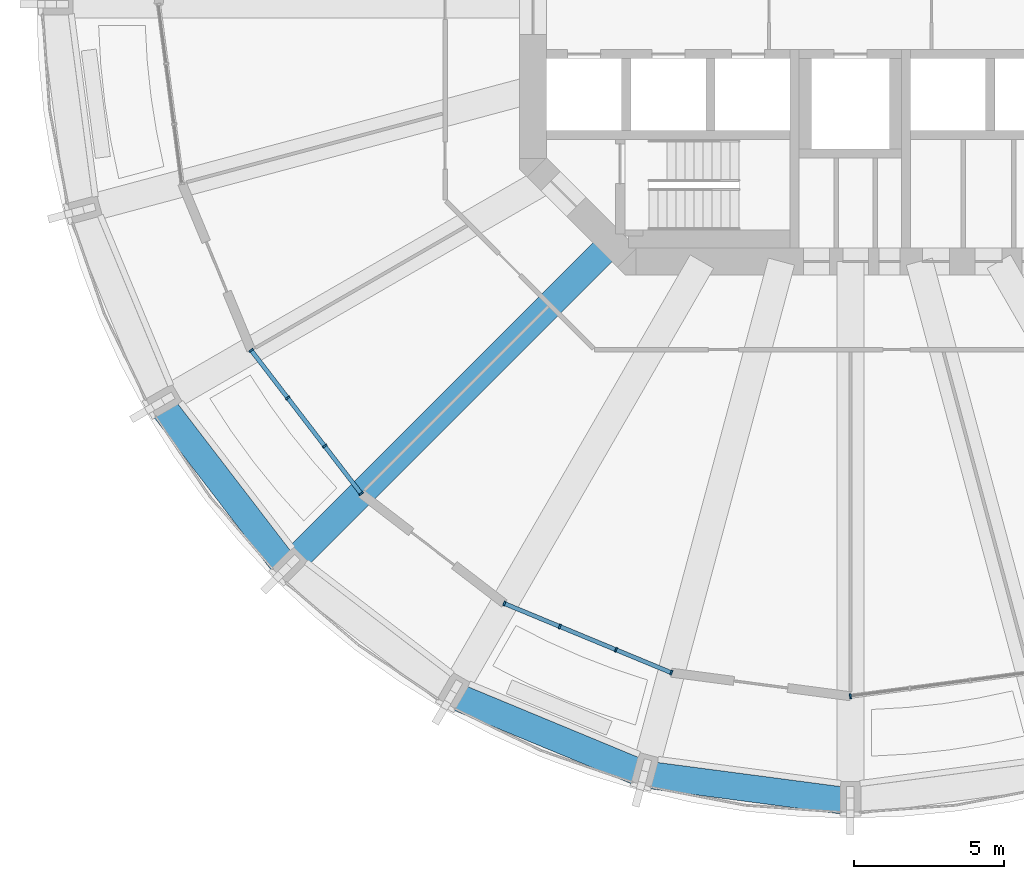
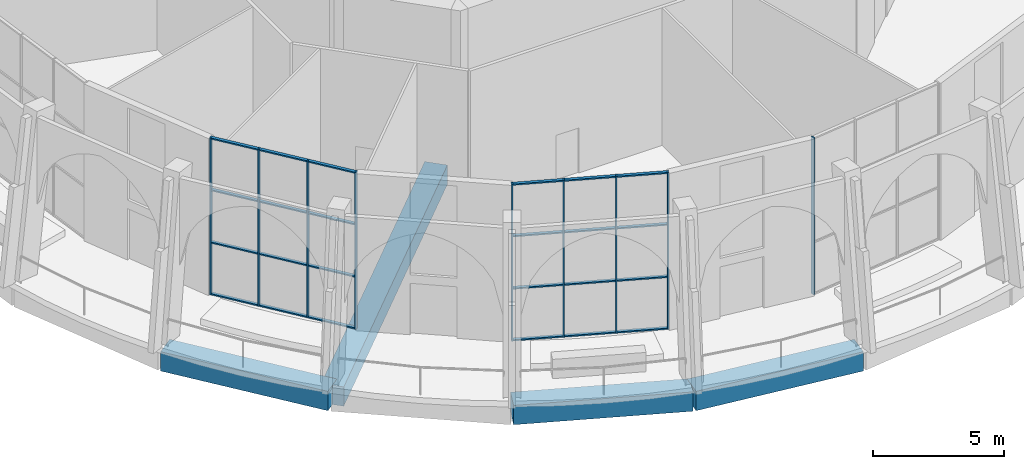
# One storey, part 2 of 19: 33 members, 4 beams, 3 elements without a shape of their own.
"""IFC4 building model written with IfcOpenShell, lengths in metres."""

import ifcopenshell
import ifcopenshell.guid

model = None  # the IFC model being written
_history = None  # IfcOwnerHistory: only IFC2X3 demands one
_inside = {}  # id of a spatial element -> (the spatial element, [elements in it])
_under = {}  # id of a project, library or spatial element -> (it, [spatial elements below it])
_declared = {}  # id of a project -> (the project, [libraries it declares])
_typed = {}  # id of a type object -> (the type object, [elements of that type])
_made_of = {}  # id of a material, layer set ... -> (it, [elements and type objects made of it])


def new_model(schema):
    """Start an empty IFC model of exactly this schema.

    Asked for "IFC4X3", IfcOpenShell would pick the latest addendum, in which some entities
    have other attributes; the version numbers below select the first issue.
    IFC2X3 requires an IfcOwnerHistory on every rooted entity: one is made here for all.
    """
    global model, _history
    if schema == "IFC4X3":
        model = ifcopenshell.file(schema_version=(4, 3, 0, 0))
    else:
        model = ifcopenshell.file(schema=schema)
    _inside.clear()
    _under.clear()
    _declared.clear()
    _typed.clear()
    _made_of.clear()
    _history = None
    if model.schema == "IFC2X3":
        org = make("IfcOrganization", Name="unknown")
        user = make(
            "IfcPersonAndOrganization",
            ThePerson=make("IfcPerson", FamilyName="unknown"),
            TheOrganization=org,
        )
        app = make(
            "IfcApplication",
            ApplicationDeveloper=org,
            Version="unknown",
            ApplicationFullName="unknown",
            ApplicationIdentifier="unknown",
        )
        _history = make(
            "IfcOwnerHistory",
            OwningUser=user,
            OwningApplication=app,
            ChangeAction="ADDED",
            CreationDate=0,
        )
    return model


def make(cls, **values):
    """One entity of the class cls with the attributes given. An attribute that is None is left unset."""
    return model.create_entity(
        cls, **{name: value for name, value in values.items() if value is not None}
    )


def rooted(cls, **values):
    """An entity with a GlobalId (a new one), such as an element, a storey or a relation."""
    return make(cls, GlobalId=ifcopenshell.guid.new(), OwnerHistory=_history, **values)


def si_unit(unit_type, name, prefix=None):
    """IfcSIUnit, for example si_unit("LENGTHUNIT", "METRE", prefix="MILLI")."""
    return make("IfcSIUnit", UnitType=unit_type, Prefix=prefix, Name=name)


def assignment(units):
    """IfcUnitAssignment: the units of a project."""
    return None if units is None else make("IfcUnitAssignment", Units=units)


def point(xyz):
    """IfcCartesianPoint."""
    return None if xyz is None else make("IfcCartesianPoint", Coordinates=xyz)


def direction(xyz):
    """IfcDirection."""
    return None if xyz is None else make("IfcDirection", DirectionRatios=xyz)


def frame(location, z_axis=None, x_axis=None):
    """IfcAxis2Placement3D, a coordinate frame: its origin and axes. An axis left out is left unset."""
    return make(
        "IfcAxis2Placement3D",
        Location=point(location),
        Axis=direction(z_axis),
        RefDirection=direction(x_axis),
    )


def frame_2d(location, x_axis=None):
    """IfcAxis2Placement2D, a coordinate frame in the plane: its origin and x axis."""
    return make(
        "IfcAxis2Placement2D", Location=point(location), RefDirection=direction(x_axis)
    )


def origin():
    """The frame at (0, 0, 0) with its axes left unset."""
    return frame((0.0, 0.0, 0.0))


def origin_2d():
    """The frame at (0, 0) in the plane with its x axis left unset."""
    return frame_2d((0.0, 0.0))


def place(relative_to, where):
    """IfcLocalPlacement: puts the frame where relative to a parent placement (None: the world)."""
    return make(
        "IfcLocalPlacement", PlacementRelTo=relative_to, RelativePlacement=where
    )


def context(
    kind, dimensions, precision=None, world=None, true_north=None, identifier=None
):
    """IfcGeometricRepresentationContext, for example the 3D "Model" context."""
    return make(
        "IfcGeometricRepresentationContext",
        ContextIdentifier=identifier,
        ContextType=kind,
        CoordinateSpaceDimension=dimensions,
        Precision=precision,
        WorldCoordinateSystem=world,
        TrueNorth=true_north,
    )


def subcontext(parent, identifier, kind, view, scale=None):
    """IfcGeometricRepresentationSubContext, for example "Body" below "Model"."""
    return make(
        "IfcGeometricRepresentationSubContext",
        ContextIdentifier=identifier,
        ContextType=kind,
        ParentContext=parent,
        TargetScale=scale,
        TargetView=view,
    )


def project(units=None, contexts=None):
    """IfcProject with its units and contexts."""
    return rooted(
        "IfcProject",
        Name="project",
        RepresentationContexts=contexts,
        UnitsInContext=assignment(units),
    )


def spatial(cls, under=None, at=None, **own):
    """A site, building, storey or space (cls), placed at a placement, below another one or the project."""
    s = rooted(cls, ObjectPlacement=at, **own)
    if under is not None:
        _under.setdefault(under.id(), (under, []))[1].append(s)
    return s


def profile(cls, at=None, kind="AREA", **sizes):
    """A parametric profile (cls). Its sizes go by their IFC names, for example OverallWidth=200.0."""
    return make(cls, ProfileType=kind, Position=at, **sizes)


def rectangle(**sizes):
    """IfcRectangleProfileDef."""
    return profile("IfcRectangleProfileDef", **sizes)


def extrude(swept, where, along, depth):
    """IfcExtrudedAreaSolid: the profile swept, set in the frame where, extruded along a direction by depth."""
    return make(
        "IfcExtrudedAreaSolid",
        SweptArea=swept,
        Position=where,
        ExtrudedDirection=direction(along),
        Depth=depth,
    )


def shape(context_of_items, identifier, shape_type, items):
    """IfcShapeRepresentation: the items that make up one representation, for example the "Body"."""
    return make(
        "IfcShapeRepresentation",
        ContextOfItems=context_of_items,
        RepresentationIdentifier=identifier,
        RepresentationType=shape_type,
        Items=items,
    )


def material(Name=None, Category=None):
    """IfcMaterial."""
    return make("IfcMaterial", Name=Name, Category=Category)


def material_profile(
    of_material, cross_section, Name=None, Category=None, Priority=None
):
    """IfcMaterialProfile: a cross section and its material."""
    return make(
        "IfcMaterialProfile",
        Name=Name,
        Material=of_material,
        Profile=cross_section,
        Priority=Priority,
        Category=Category,
    )


def profile_set(profiles, Name=None, composite=None):
    """IfcMaterialProfileSet."""
    return make(
        "IfcMaterialProfileSet",
        Name=Name,
        MaterialProfiles=profiles,
        CompositeProfile=composite,
    )


def made_of(thing, what):
    """Note that an element or type object is made of a material, layer set ...; save() writes the relation."""
    if what is not None:
        _made_of.setdefault(what.id(), (what, []))[1].append(thing)
    return thing


def type_object(cls, material=None, **own):
    """A type object (cls), such as IfcWallType, which elements share."""
    return made_of(rooted(cls, **own), material)


def element(
    cls,
    number,
    at=None,
    inside=None,
    cuts=None,
    type_object=None,
    material=None,
    context=None,
    identifier="Body",
    shape_type=None,
    held_by="IfcProductDefinitionShape",
    body=None,
    shapes=None,
    **own,
):
    """One element of the class cls, such as IfcWall. Its Tag is "e" and its number.

    at: its placement. inside: the storey or other place that contains it. cuts: it is an
    opening in that element (IfcRelVoidsElement). A single representation is given by context,
    identifier, shape_type and body (its items); several are given by shapes. held_by: the class
    of the entity that holds the representations. save() writes the other relations.
    """
    e = rooted(cls, Tag="e%d" % number, ObjectPlacement=at, **own)
    if body is not None:
        shapes = [shape(context, identifier, shape_type, body)]
    if shapes is not None:
        e.Representation = make(held_by, Representations=shapes)
    if inside is not None:
        _inside.setdefault(inside.id(), (inside, []))[1].append(e)
    if cuts is not None:
        rooted(
            "IfcRelVoidsElement", RelatingBuildingElement=cuts, RelatedOpeningElement=e
        )
    if type_object is not None:
        _typed.setdefault(type_object.id(), (type_object, []))[1].append(e)
    return made_of(e, material)


def aggregate(whole, parts):
    """IfcRelAggregates: a whole, such as a stair, and the parts it consists of."""
    return rooted("IfcRelAggregates", RelatingObject=whole, RelatedObjects=parts)


def save(model, path):
    """Write the relations noted so far, then the file.

    IfcRelAggregates (storeys below a building ...), IfcRelContainedInSpatialStructure (elements
    in a storey), IfcRelDefinesByType, IfcRelAssociatesMaterial and IfcRelDeclares: one each for
    every whole, place, type object, material and project.
    """
    for whole, parts in _under.values():
        aggregate(whole, parts)
    for where, things in _inside.values():
        rooted(
            "IfcRelContainedInSpatialStructure",
            RelatedElements=things,
            RelatingStructure=where,
        )
    for kind, things in _typed.values():
        rooted("IfcRelDefinesByType", RelatedObjects=things, RelatingType=kind)
    for what, things in _made_of.values():
        rooted("IfcRelAssociatesMaterial", RelatedObjects=things, RelatingMaterial=what)
    for by, libraries in _declared.values():
        rooted("IfcRelDeclares", RelatingContext=by, RelatedDefinitions=libraries)
    model.write(path)


model = new_model("IFC4")

# Units and contexts
model_context = context("Model", 3, precision=1e-05, world=origin(), true_north=direction((0.0, 1.0)))
body_context = subcontext(model_context, "Body", "Model", "MODEL_VIEW")
ifc_project = project(units=[si_unit("LENGTHUNIT", "METRE"), si_unit("AREAUNIT", "SQUARE_METRE"), si_unit("VOLUMEUNIT", "CUBIC_METRE"), si_unit("PLANEANGLEUNIT", "RADIAN"), si_unit("MASSUNIT", "GRAM", prefix="KILO")], contexts=[model_context])

# Site, building, storey
site_placement = place(None, origin())
site = spatial("IfcSite", under=ifc_project, at=site_placement, CompositionType="ELEMENT")
building_placement = place(site_placement, origin())
building = spatial("IfcBuilding", under=site, at=building_placement, Name="Torre Triforio", CompositionType="ELEMENT")
storey_placement = place(building_placement, frame((0.0, 0.0, 79.0)))
storey = spatial("IfcBuildingStorey", under=building, at=storey_placement, Name="L17", CompositionType="ELEMENT", Elevation=79.0)

# Curtain wall, members
ifc_material_1 = material(Name="Aluminium mullion and transom frame with clear laminated glass", Category="aluminium")
curtain_wall_type = type_object("IfcCurtainWallType", Name="Sky garden conservatory wall ECW3", PredefinedType="NOTDEFINED", material=ifc_material_1)
curtain_wall_1_placement = place(storey_placement, origin())
curtain_wall_1 = element("IfcCurtainWall", 1, at=curtain_wall_1_placement, inside=storey, type_object=curtain_wall_type, Name="Conservatory wall L17 bay 15", PredefinedType="NOTDEFINED")
ifc_material_2 = material(Name="Anodised aluminium extrusion", Category="aluminium")
ifc_material_profile_1 = material_profile(ifc_material_2, rectangle(XDim=0.159912109375, YDim=0.06005859375, at=origin_2d()), Name="ECW3 MULLION 60x160")
ifc_profile_set_1 = profile_set([ifc_material_profile_1], Name="Anodised aluminium extrusion")
member_type_1 = type_object("IfcMemberType", Name="ECW3 mullion 60 x 160", PredefinedType="MULLION", material=ifc_profile_set_1)
member_1_placement = place(storey_placement, frame((-19.91845703125, -11.5, 0.0), z_axis=(0.0, 0.0, 1.0), x_axis=(0.79336025885, 0.608752412461, 0.0)))
member_1 = element("IfcMember", 2, at=member_1_placement, type_object=member_type_1, Name="ECW3 mullion 1", PredefinedType="MULLION", context=body_context, shape_type="SweptSolid", body=[
    extrude(rectangle(XDim=0.159912109375, YDim=0.06005859375, at=origin_2d()), origin(), (0.0, 0.0, 1.0), 7.320068359375),
])
member_2_placement = place(storey_placement, frame((-18.706298828125, -13.079833984375, 0.0), z_axis=(0.0, 0.0, 1.0), x_axis=(0.79336025885, 0.608752412461, 0.0)))
member_2 = element("IfcMember", 3, at=member_2_placement, type_object=member_type_1, Name="ECW3 mullion 2", PredefinedType="MULLION", context=body_context, shape_type="SweptSolid", body=[
    extrude(rectangle(XDim=0.159912109375, YDim=0.06005859375, at=origin_2d()), origin(), (0.0, 0.0, 1.0), 7.320068359375),
])
member_3_placement = place(storey_placement, frame((-17.475830078125, -14.68359375, 0.0), z_axis=(0.0, 0.0, 1.0), x_axis=(0.79336025885, 0.608752412461, 0.0)))
member_3 = element("IfcMember", 4, at=member_3_placement, type_object=member_type_1, Name="ECW3 mullion 3", PredefinedType="MULLION", context=body_context, shape_type="SweptSolid", body=[
    extrude(rectangle(XDim=0.159912109375, YDim=0.06005859375, at=origin_2d()), origin(), (0.0, 0.0, 1.0), 7.320068359375),
])
member_4_placement = place(storey_placement, frame((-16.263427734375, -16.263427734375, 0.0), z_axis=(0.0, 0.0, 1.0), x_axis=(0.79336025885, 0.608752412461, 0.0)))
member_4 = element("IfcMember", 5, at=member_4_placement, type_object=member_type_1, Name="ECW3 mullion 4", PredefinedType="MULLION", context=body_context, shape_type="SweptSolid", body=[
    extrude(rectangle(XDim=0.159912109375, YDim=0.06005859375, at=origin_2d()), origin(), (0.0, 0.0, 1.0), 7.320068359375),
])

curtain_wall_2_placement = place(storey_placement, origin())
curtain_wall_2 = element("IfcCurtainWall", 6, at=curtain_wall_2_placement, inside=storey, type_object=curtain_wall_type, Name="Conservatory wall L17 bay 17", PredefinedType="NOTDEFINED")
member_5_placement = place(storey_placement, frame((-11.5, -19.918701171875, 0.0), z_axis=(0.0, 0.0, 1.0), x_axis=(0.382687246105, 0.923877952799, 0.0)))
member_5 = element("IfcMember", 7, at=member_5_placement, type_object=member_type_1, Name="ECW3 mullion 1", PredefinedType="MULLION", context=body_context, shape_type="SweptSolid", body=[
    extrude(rectangle(XDim=0.159912109375, YDim=0.06005859375, at=origin_2d()), origin(), (0.0, 0.0, 1.0), 7.320068359375),
])
member_6_placement = place(storey_placement, frame((-9.66015625, -20.6806640625, 0.0), z_axis=(0.0, 0.0, 1.0), x_axis=(0.382687246105, 0.923877952799, 0.0)))
member_6 = element("IfcMember", 8, at=member_6_placement, type_object=member_type_1, Name="ECW3 mullion 2", PredefinedType="MULLION", context=body_context, shape_type="SweptSolid", body=[
    extrude(rectangle(XDim=0.159912109375, YDim=0.06005859375, at=origin_2d()), origin(), (0.0, 0.0, 1.0), 7.320068359375),
])
member_7_placement = place(storey_placement, frame((-7.792724609375, -21.454345703125, 0.0), z_axis=(0.0, 0.0, 1.0), x_axis=(0.382687246105, 0.923877952799, 0.0)))
member_7 = element("IfcMember", 9, at=member_7_placement, type_object=member_type_1, Name="ECW3 mullion 3", PredefinedType="MULLION", context=body_context, shape_type="SweptSolid", body=[
    extrude(rectangle(XDim=0.159912109375, YDim=0.06005859375, at=origin_2d()), origin(), (0.0, 0.0, 1.0), 7.320068359375),
])
member_8_placement = place(storey_placement, frame((-5.952880859375, -22.21630859375, 0.0), z_axis=(0.0, 0.0, 1.0), x_axis=(0.382687246105, 0.923877952799, 0.0)))
member_8 = element("IfcMember", 10, at=member_8_placement, type_object=member_type_1, Name="ECW3 mullion 4", PredefinedType="MULLION", context=body_context, shape_type="SweptSolid", body=[
    extrude(rectangle(XDim=0.159912109375, YDim=0.06005859375, at=origin_2d()), origin(), (0.0, 0.0, 1.0), 7.320068359375),
])

# Curtain wall, member
curtain_wall_3_placement = place(storey_placement, origin())
curtain_wall_3 = element("IfcCurtainWall", 11, at=curtain_wall_3_placement, inside=storey, type_object=curtain_wall_type, Name="Conservatory wall L17 bay 19", PredefinedType="NOTDEFINED")
member_9_placement = place(storey_placement, frame((0.0, -23.0, 0.0), z_axis=(0.0, 0.0, 1.0), x_axis=(-0.130520630599, 0.991445593559, 0.0)))
member_9 = element("IfcMember", 12, at=member_9_placement, type_object=member_type_1, Name="ECW3 mullion 1", PredefinedType="MULLION", context=body_context, shape_type="SweptSolid", body=[
    extrude(rectangle(XDim=0.159912109375, YDim=0.06005859375, at=origin_2d()), origin(), (0.0, 0.0, 1.0), 7.320068359375),
])
aggregate(curtain_wall_3, [member_9])

# Member
ifc_material_profile_2 = material_profile(ifc_material_2, rectangle(XDim=0.139892578125, YDim=0.06005859375, at=origin_2d()), Name="ECW3 TRANSOM 60x140")
ifc_profile_set_2 = profile_set([ifc_material_profile_2], Name="Anodised aluminium extrusion")
member_type_2 = type_object("IfcMemberType", Name="ECW3 transom 60 x 140", PredefinedType="USERDEFINED", material=ifc_profile_set_2)
member_10_placement = place(storey_placement, frame((-19.900390625, -11.523681640625, 0.030029296875), z_axis=(0.608720735783, -0.793384563644, 0.0), x_axis=(0.793384563644, 0.608720735783, 0.0)))
member_10 = element("IfcMember", 13, at=member_10_placement, type_object=member_type_2, Name="ECW3 transom 1.1", ObjectType="TRANSOM", PredefinedType="USERDEFINED", context=body_context, shape_type="SweptSolid", body=[
    extrude(rectangle(XDim=0.139892578125, YDim=0.06005859375, at=origin_2d()), origin(), (0.0, 0.0, 1.0), 1.931640625),
])

member_11_placement = place(storey_placement, frame((-19.900390625, -11.523681640625, 2.43994140625), z_axis=(0.608720735783, -0.793384563644, 0.0), x_axis=(0.793384563644, 0.608720735783, 0.0)))
member_11 = element("IfcMember", 14, at=member_11_placement, type_object=member_type_2, Name="ECW3 transom 1.2", ObjectType="TRANSOM", PredefinedType="USERDEFINED", context=body_context, shape_type="SweptSolid", body=[
    extrude(rectangle(XDim=0.139892578125, YDim=0.06005859375, at=origin_2d()), origin(), (0.0, 0.0, 1.0), 1.931640625),
])

member_12_placement = place(storey_placement, frame((-19.900390625, -11.523681640625, 4.8798828125), z_axis=(0.608720735783, -0.793384563644, 0.0), x_axis=(0.793384563644, 0.608720735783, 0.0)))
member_12 = element("IfcMember", 15, at=member_12_placement, type_object=member_type_2, Name="ECW3 transom 1.3", ObjectType="TRANSOM", PredefinedType="USERDEFINED", context=body_context, shape_type="SweptSolid", body=[
    extrude(rectangle(XDim=0.139892578125, YDim=0.06005859375, at=origin_2d()), origin(), (0.0, 0.0, 1.0), 1.931640625),
])

member_13_placement = place(storey_placement, frame((-19.900390625, -11.523681640625, 7.2900390625), z_axis=(0.608720735783, -0.793384563644, 0.0), x_axis=(0.793384563644, 0.608720735783, 0.0)))
member_13 = element("IfcMember", 16, at=member_13_placement, type_object=member_type_2, Name="ECW3 transom 1.4", ObjectType="TRANSOM", PredefinedType="USERDEFINED", context=body_context, shape_type="SweptSolid", body=[
    extrude(rectangle(XDim=0.139892578125, YDim=0.06005859375, at=origin_2d()), origin(), (0.0, 0.0, 1.0), 1.931640625),
])

member_14_placement = place(storey_placement, frame((-18.68798828125, -13.103759765625, 0.030029296875), z_axis=(0.608765955401, -0.793349867047, 0.0), x_axis=(0.793349867047, 0.608765955401, 0.0)))
member_14 = element("IfcMember", 17, at=member_14_placement, type_object=member_type_2, Name="ECW3 transom 2.1", ObjectType="TRANSOM", PredefinedType="USERDEFINED", context=body_context, shape_type="SweptSolid", body=[
    extrude(rectangle(XDim=0.139892578125, YDim=0.06005859375, at=origin_2d()), origin(), (0.0, 0.0, 1.0), 1.96142578125),
])

member_15_placement = place(storey_placement, frame((-18.68798828125, -13.103759765625, 2.43994140625), z_axis=(0.608765955401, -0.793349867047, 0.0), x_axis=(0.793349867047, 0.608765955401, 0.0)))
member_15 = element("IfcMember", 18, at=member_15_placement, type_object=member_type_2, Name="ECW3 transom 2.2", ObjectType="TRANSOM", PredefinedType="USERDEFINED", context=body_context, shape_type="SweptSolid", body=[
    extrude(rectangle(XDim=0.139892578125, YDim=0.06005859375, at=origin_2d()), origin(), (0.0, 0.0, 1.0), 1.96142578125),
])

member_16_placement = place(storey_placement, frame((-18.68798828125, -13.103759765625, 4.8798828125), z_axis=(0.608765955401, -0.793349867047, 0.0), x_axis=(0.793349867047, 0.608765955401, 0.0)))
member_16 = element("IfcMember", 19, at=member_16_placement, type_object=member_type_2, Name="ECW3 transom 2.3", ObjectType="TRANSOM", PredefinedType="USERDEFINED", context=body_context, shape_type="SweptSolid", body=[
    extrude(rectangle(XDim=0.139892578125, YDim=0.06005859375, at=origin_2d()), origin(), (0.0, 0.0, 1.0), 1.96142578125),
])

member_17_placement = place(storey_placement, frame((-18.68798828125, -13.103759765625, 7.2900390625), z_axis=(0.608765955401, -0.793349867047, 0.0), x_axis=(0.793349867047, 0.608765955401, 0.0)))
member_17 = element("IfcMember", 20, at=member_17_placement, type_object=member_type_2, Name="ECW3 transom 2.4", ObjectType="TRANSOM", PredefinedType="USERDEFINED", context=body_context, shape_type="SweptSolid", body=[
    extrude(rectangle(XDim=0.139892578125, YDim=0.06005859375, at=origin_2d()), origin(), (0.0, 0.0, 1.0), 1.96142578125),
])

member_18_placement = place(storey_placement, frame((-17.45751953125, -14.70751953125, 0.030029296875), z_axis=(0.608781782764, -0.793337721891, 0.0), x_axis=(0.793337721891, 0.608781782764, 0.0)))
member_18 = element("IfcMember", 21, at=member_18_placement, type_object=member_type_2, Name="ECW3 transom 3.1", ObjectType="TRANSOM", PredefinedType="USERDEFINED", context=body_context, shape_type="SweptSolid", body=[
    extrude(rectangle(XDim=0.139892578125, YDim=0.06005859375, at=origin_2d()), origin(), (0.0, 0.0, 1.0), 1.931396484375),
])

member_19_placement = place(storey_placement, frame((-17.45751953125, -14.70751953125, 2.43994140625), z_axis=(0.608781782764, -0.793337721891, 0.0), x_axis=(0.793337721891, 0.608781782764, 0.0)))
member_19 = element("IfcMember", 22, at=member_19_placement, type_object=member_type_2, Name="ECW3 transom 3.2", ObjectType="TRANSOM", PredefinedType="USERDEFINED", context=body_context, shape_type="SweptSolid", body=[
    extrude(rectangle(XDim=0.139892578125, YDim=0.06005859375, at=origin_2d()), origin(), (0.0, 0.0, 1.0), 1.931396484375),
])

member_20_placement = place(storey_placement, frame((-17.45751953125, -14.70751953125, 4.8798828125), z_axis=(0.608781782764, -0.793337721891, 0.0), x_axis=(0.793337721891, 0.608781782764, 0.0)))
member_20 = element("IfcMember", 23, at=member_20_placement, type_object=member_type_2, Name="ECW3 transom 3.3", ObjectType="TRANSOM", PredefinedType="USERDEFINED", context=body_context, shape_type="SweptSolid", body=[
    extrude(rectangle(XDim=0.139892578125, YDim=0.06005859375, at=origin_2d()), origin(), (0.0, 0.0, 1.0), 1.931396484375),
])

member_21_placement = place(storey_placement, frame((-17.45751953125, -14.70751953125, 7.2900390625), z_axis=(0.608781782764, -0.793337721891, 0.0), x_axis=(0.793337721891, 0.608781782764, 0.0)))
member_21 = element("IfcMember", 24, at=member_21_placement, type_object=member_type_2, Name="ECW3 transom 3.4", ObjectType="TRANSOM", PredefinedType="USERDEFINED", context=body_context, shape_type="SweptSolid", body=[
    extrude(rectangle(XDim=0.139892578125, YDim=0.06005859375, at=origin_2d()), origin(), (0.0, 0.0, 1.0), 1.931396484375),
])

aggregate(curtain_wall_1, [member_1, member_2, member_3, member_4, member_10, member_11, member_12, member_13, member_14, member_15, member_16, member_17, member_18, member_19, member_20, member_21])

member_22_placement = place(storey_placement, frame((-11.47216796875, -19.93017578125, 0.030029296875), z_axis=(0.92388278253, -0.382675586032, 0.0), x_axis=(0.382675586032, 0.92388278253, 0.0)))
member_22 = element("IfcMember", 25, at=member_22_placement, type_object=member_type_2, Name="ECW3 transom 1.1", ObjectType="TRANSOM", PredefinedType="USERDEFINED", context=body_context, shape_type="SweptSolid", body=[
    extrude(rectangle(XDim=0.139892578125, YDim=0.06005859375, at=origin_2d()), origin(), (0.0, 0.0, 1.0), 1.93115234375),
])

member_23_placement = place(storey_placement, frame((-11.47216796875, -19.93017578125, 2.43994140625), z_axis=(0.92388278253, -0.382675586032, 0.0), x_axis=(0.382675586032, 0.92388278253, 0.0)))
member_23 = element("IfcMember", 26, at=member_23_placement, type_object=member_type_2, Name="ECW3 transom 1.2", ObjectType="TRANSOM", PredefinedType="USERDEFINED", context=body_context, shape_type="SweptSolid", body=[
    extrude(rectangle(XDim=0.139892578125, YDim=0.06005859375, at=origin_2d()), origin(), (0.0, 0.0, 1.0), 1.93115234375),
])

member_24_placement = place(storey_placement, frame((-11.47216796875, -19.93017578125, 4.8798828125), z_axis=(0.92388278253, -0.382675586032, 0.0), x_axis=(0.382675586032, 0.92388278253, 0.0)))
member_24 = element("IfcMember", 27, at=member_24_placement, type_object=member_type_2, Name="ECW3 transom 1.3", ObjectType="TRANSOM", PredefinedType="USERDEFINED", context=body_context, shape_type="SweptSolid", body=[
    extrude(rectangle(XDim=0.139892578125, YDim=0.06005859375, at=origin_2d()), origin(), (0.0, 0.0, 1.0), 1.93115234375),
])

member_25_placement = place(storey_placement, frame((-11.47216796875, -19.93017578125, 7.2900390625), z_axis=(0.92388278253, -0.382675586032, 0.0), x_axis=(0.382675586032, 0.92388278253, 0.0)))
member_25 = element("IfcMember", 28, at=member_25_placement, type_object=member_type_2, Name="ECW3 transom 1.4", ObjectType="TRANSOM", PredefinedType="USERDEFINED", context=body_context, shape_type="SweptSolid", body=[
    extrude(rectangle(XDim=0.139892578125, YDim=0.06005859375, at=origin_2d()), origin(), (0.0, 0.0, 1.0), 1.93115234375),
])

member_26_placement = place(storey_placement, frame((-9.632568359375, -20.692138671875, 0.030029296875), z_axis=(0.923866651068, -0.38271452944, 0.0), x_axis=(0.38271452944, 0.923866651068, 0.0)))
member_26 = element("IfcMember", 29, at=member_26_placement, type_object=member_type_2, Name="ECW3 transom 2.1", ObjectType="TRANSOM", PredefinedType="USERDEFINED", context=body_context, shape_type="SweptSolid", body=[
    extrude(rectangle(XDim=0.139892578125, YDim=0.06005859375, at=origin_2d()), origin(), (0.0, 0.0, 1.0), 1.961669921875),
])

member_27_placement = place(storey_placement, frame((-9.632568359375, -20.692138671875, 2.43994140625), z_axis=(0.923866651068, -0.38271452944, 0.0), x_axis=(0.38271452944, 0.923866651068, 0.0)))
member_27 = element("IfcMember", 30, at=member_27_placement, type_object=member_type_2, Name="ECW3 transom 2.2", ObjectType="TRANSOM", PredefinedType="USERDEFINED", context=body_context, shape_type="SweptSolid", body=[
    extrude(rectangle(XDim=0.139892578125, YDim=0.06005859375, at=origin_2d()), origin(), (0.0, 0.0, 1.0), 1.961669921875),
])

member_28_placement = place(storey_placement, frame((-9.632568359375, -20.692138671875, 4.8798828125), z_axis=(0.923866651068, -0.38271452944, 0.0), x_axis=(0.38271452944, 0.923866651068, 0.0)))
member_28 = element("IfcMember", 31, at=member_28_placement, type_object=member_type_2, Name="ECW3 transom 2.3", ObjectType="TRANSOM", PredefinedType="USERDEFINED", context=body_context, shape_type="SweptSolid", body=[
    extrude(rectangle(XDim=0.139892578125, YDim=0.06005859375, at=origin_2d()), origin(), (0.0, 0.0, 1.0), 1.961669921875),
])

member_29_placement = place(storey_placement, frame((-9.632568359375, -20.692138671875, 7.2900390625), z_axis=(0.923866651068, -0.38271452944, 0.0), x_axis=(0.38271452944, 0.923866651068, 0.0)))
member_29 = element("IfcMember", 32, at=member_29_placement, type_object=member_type_2, Name="ECW3 transom 2.4", ObjectType="TRANSOM", PredefinedType="USERDEFINED", context=body_context, shape_type="SweptSolid", body=[
    extrude(rectangle(XDim=0.139892578125, YDim=0.06005859375, at=origin_2d()), origin(), (0.0, 0.0, 1.0), 1.961669921875),
])

member_30_placement = place(storey_placement, frame((-7.764892578125, -21.4658203125, 0.030029296875), z_axis=(0.923901292417, -0.382630895081, 0.0), x_axis=(0.382630895081, 0.923901292417, 0.0)))
member_30 = element("IfcMember", 33, at=member_30_placement, type_object=member_type_2, Name="ECW3 transom 3.1", ObjectType="TRANSOM", PredefinedType="USERDEFINED", context=body_context, shape_type="SweptSolid", body=[
    extrude(rectangle(XDim=0.139892578125, YDim=0.06005859375, at=origin_2d()), origin(), (0.0, 0.0, 1.0), 1.931396484375),
])

member_31_placement = place(storey_placement, frame((-7.764892578125, -21.4658203125, 2.43994140625), z_axis=(0.923901292417, -0.382630895081, 0.0), x_axis=(0.382630895081, 0.923901292417, 0.0)))
member_31 = element("IfcMember", 34, at=member_31_placement, type_object=member_type_2, Name="ECW3 transom 3.2", ObjectType="TRANSOM", PredefinedType="USERDEFINED", context=body_context, shape_type="SweptSolid", body=[
    extrude(rectangle(XDim=0.139892578125, YDim=0.06005859375, at=origin_2d()), origin(), (0.0, 0.0, 1.0), 1.931396484375),
])

member_32_placement = place(storey_placement, frame((-7.764892578125, -21.4658203125, 4.8798828125), z_axis=(0.923901292417, -0.382630895081, 0.0), x_axis=(0.382630895081, 0.923901292417, 0.0)))
member_32 = element("IfcMember", 35, at=member_32_placement, type_object=member_type_2, Name="ECW3 transom 3.3", ObjectType="TRANSOM", PredefinedType="USERDEFINED", context=body_context, shape_type="SweptSolid", body=[
    extrude(rectangle(XDim=0.139892578125, YDim=0.06005859375, at=origin_2d()), origin(), (0.0, 0.0, 1.0), 1.931396484375),
])

member_33_placement = place(storey_placement, frame((-7.764892578125, -21.4658203125, 7.2900390625), z_axis=(0.923901292417, -0.382630895081, 0.0), x_axis=(0.382630895081, 0.923901292417, 0.0)))
member_33 = element("IfcMember", 36, at=member_33_placement, type_object=member_type_2, Name="ECW3 transom 3.4", ObjectType="TRANSOM", PredefinedType="USERDEFINED", context=body_context, shape_type="SweptSolid", body=[
    extrude(rectangle(XDim=0.139892578125, YDim=0.06005859375, at=origin_2d()), origin(), (0.0, 0.0, 1.0), 1.931396484375),
])

aggregate(curtain_wall_2, [member_5, member_6, member_7, member_8, member_22, member_23, member_24, member_25, member_26, member_27, member_28, member_29, member_30, member_31, member_32, member_33])

# Beams
ifc_material_3 = material(Name="Concrete C50", Category="concrete")
ifc_material_profile_3 = material_profile(ifc_material_3, rectangle(XDim=0.89990234375, YDim=0.89990234375, at=origin_2d()), Name="RC 900x900")
ifc_profile_set_3 = profile_set([ifc_material_profile_3], Name="Concrete C50")
beam_type_1 = type_object("IfcBeamType", Name="Radial beam RC 900x900 C50", PredefinedType="BEAM", material=ifc_profile_set_3)
beam_1_placement = place(storey_placement, frame((-7.918212890625, -7.918212890625, -0.72998046875), z_axis=(-0.707106781187, -0.707106781187, 0.0), x_axis=(0.707106781187, -0.707106781187, 0.0)))
element("IfcBeam", 37, at=beam_1_placement, inside=storey, type_object=beam_type_1, Name="BM.R.L17.15", PredefinedType="BEAM", context=body_context, shape_type="SweptSolid", body=[
    extrude(rectangle(XDim=0.89990234375, YDim=0.89990234375, at=origin_2d()), origin(), (0.0, 0.0, 1.0), 15.302001953125),
])
ifc_material_profile_4 = material_profile(ifc_material_3, rectangle(XDim=0.89990234375, YDim=0.89990234375, at=origin_2d()), Name="RC 900x900")
ifc_profile_set_4 = profile_set([ifc_material_profile_4], Name="Concrete C50")
beam_type_2 = type_object("IfcBeamType", Name="Spandrel beam RC 900x900 C50", PredefinedType="SPANDREL", material=ifc_profile_set_4)
for number, where, z_axis, x_axis, name in (
    (38, (-22.94970703125, -13.25, -0.72998046875), (0.608772297796, -0.793345000259, 0.0), (0.793345000259, 0.608772297796, 0.0), "BM.S.L17.14"),
    (39, (-13.25, -22.94970703125, -0.72998046875), (0.923888227087, -0.382662441128, 0.0), (0.382662441128, 0.923888227087, 0.0), "BM.S.L17.16"),
):
    element("IfcBeam", number, at=place(storey_placement, frame(where, z_axis=z_axis, x_axis=x_axis)), inside=storey, type_object=beam_type_2, Name=name, PredefinedType="SPANDREL", context=body_context, shape_type="SweptSolid", body=[
        extrude(rectangle(XDim=0.89990234375, YDim=0.89990234375, at=origin_2d()), origin(), (0.0, 0.0, 1.0), 6.91796875),
    ])
beam_2_placement = place(storey_placement, frame((-6.858642578125, -25.596923828125, -0.72998046875), z_axis=(0.991442639885, -0.130543064996, 0.0), x_axis=(0.130543064996, 0.991442639885, 0.0)))
element("IfcBeam", 40, at=beam_2_placement, inside=storey, type_object=beam_type_2, Name="BM.S.L17.17", PredefinedType="SPANDREL", context=body_context, shape_type="SweptSolid", body=[
    extrude(rectangle(XDim=0.89990234375, YDim=0.89990234375, at=origin_2d()), origin(), (0.0, 0.0, 1.0), 6.917724609375),
])

save(model, "model.ifc")
